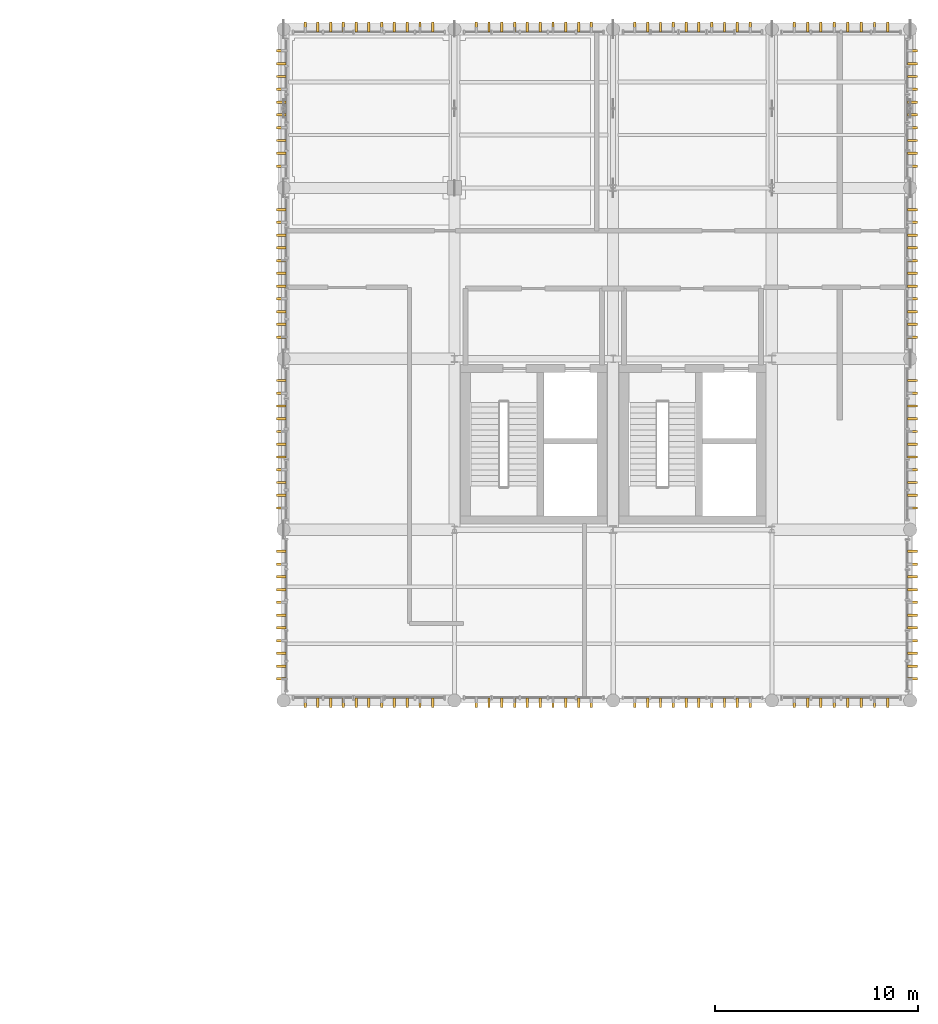
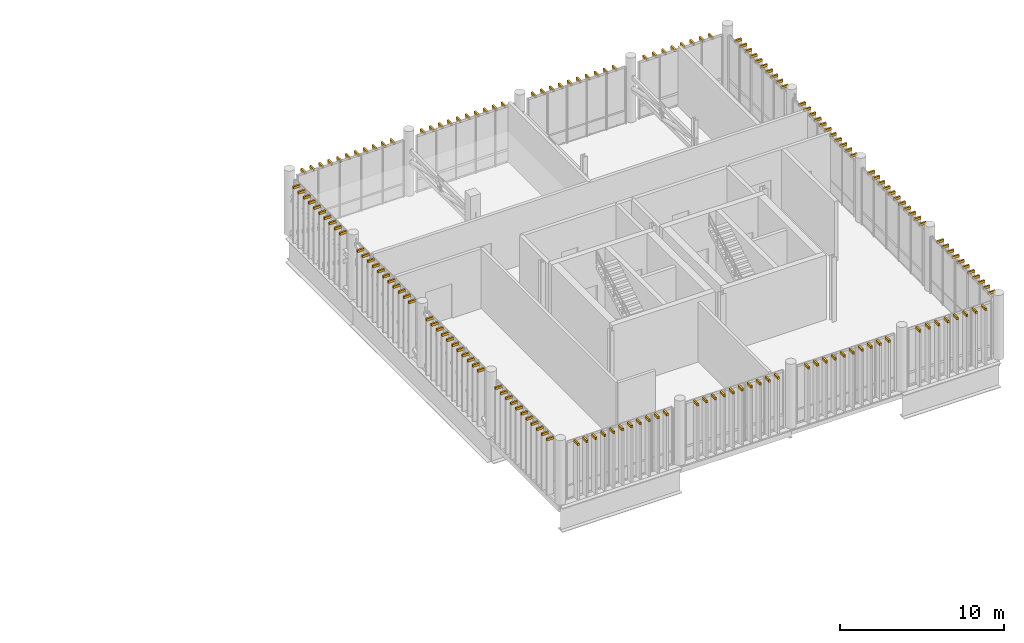
# One storey, part 81 of 81: 164 shading devices.
"""IFC4 building model written with IfcOpenShell, lengths in metres."""

import ifcopenshell
import ifcopenshell.guid

model = None  # the IFC model being written
_history = None  # IfcOwnerHistory: only IFC2X3 demands one
_inside = {}  # id of a spatial element -> (the spatial element, [elements in it])
_under = {}  # id of a project, library or spatial element -> (it, [spatial elements below it])
_declared = {}  # id of a project -> (the project, [libraries it declares])
_typed = {}  # id of a type object -> (the type object, [elements of that type])
_made_of = {}  # id of a material, layer set ... -> (it, [elements and type objects made of it])


def new_model(schema):
    """Start an empty IFC model of exactly this schema.

    Asked for "IFC4X3", IfcOpenShell would pick the latest addendum, in which some entities
    have other attributes; the version numbers below select the first issue.
    IFC2X3 requires an IfcOwnerHistory on every rooted entity: one is made here for all.
    """
    global model, _history
    if schema == "IFC4X3":
        model = ifcopenshell.file(schema_version=(4, 3, 0, 0))
    else:
        model = ifcopenshell.file(schema=schema)
    _inside.clear()
    _under.clear()
    _declared.clear()
    _typed.clear()
    _made_of.clear()
    _history = None
    if model.schema == "IFC2X3":
        org = make("IfcOrganization", Name="unknown")
        user = make(
            "IfcPersonAndOrganization",
            ThePerson=make("IfcPerson", FamilyName="unknown"),
            TheOrganization=org,
        )
        app = make(
            "IfcApplication",
            ApplicationDeveloper=org,
            Version="unknown",
            ApplicationFullName="unknown",
            ApplicationIdentifier="unknown",
        )
        _history = make(
            "IfcOwnerHistory",
            OwningUser=user,
            OwningApplication=app,
            ChangeAction="ADDED",
            CreationDate=0,
        )
    return model


def make(cls, **values):
    """One entity of the class cls with the attributes given. An attribute that is None is left unset."""
    return model.create_entity(
        cls, **{name: value for name, value in values.items() if value is not None}
    )


def rooted(cls, **values):
    """An entity with a GlobalId (a new one), such as an element, a storey or a relation."""
    return make(cls, GlobalId=ifcopenshell.guid.new(), OwnerHistory=_history, **values)


def si_unit(unit_type, name, prefix=None):
    """IfcSIUnit, for example si_unit("LENGTHUNIT", "METRE", prefix="MILLI")."""
    return make("IfcSIUnit", UnitType=unit_type, Prefix=prefix, Name=name)


def assignment(units):
    """IfcUnitAssignment: the units of a project."""
    return None if units is None else make("IfcUnitAssignment", Units=units)


def point(xyz):
    """IfcCartesianPoint."""
    return None if xyz is None else make("IfcCartesianPoint", Coordinates=xyz)


def direction(xyz):
    """IfcDirection."""
    return None if xyz is None else make("IfcDirection", DirectionRatios=xyz)


def frame(location, z_axis=None, x_axis=None):
    """IfcAxis2Placement3D, a coordinate frame: its origin and axes. An axis left out is left unset."""
    return make(
        "IfcAxis2Placement3D",
        Location=point(location),
        Axis=direction(z_axis),
        RefDirection=direction(x_axis),
    )


def frame_2d(location, x_axis=None):
    """IfcAxis2Placement2D, a coordinate frame in the plane: its origin and x axis."""
    return make(
        "IfcAxis2Placement2D", Location=point(location), RefDirection=direction(x_axis)
    )


def origin_with_axes():
    """The frame at (0, 0, 0) with the z axis (0, 0, 1) and the x axis (1, 0, 0) written out."""
    return frame((0.0, 0.0, 0.0), z_axis=(0.0, 0.0, 1.0), x_axis=(1.0, 0.0, 0.0))


def origin_2d_with_axis():
    """The frame at (0, 0) in the plane with the x axis (1, 0) written out."""
    return frame_2d((0.0, 0.0), x_axis=(1.0, 0.0))


def place(relative_to, where):
    """IfcLocalPlacement: puts the frame where relative to a parent placement (None: the world)."""
    return make(
        "IfcLocalPlacement", PlacementRelTo=relative_to, RelativePlacement=where
    )


def context(
    kind, dimensions, precision=None, world=None, true_north=None, identifier=None
):
    """IfcGeometricRepresentationContext, for example the 3D "Model" context."""
    return make(
        "IfcGeometricRepresentationContext",
        ContextIdentifier=identifier,
        ContextType=kind,
        CoordinateSpaceDimension=dimensions,
        Precision=precision,
        WorldCoordinateSystem=world,
        TrueNorth=true_north,
    )


def subcontext(parent, identifier, kind, view, scale=None):
    """IfcGeometricRepresentationSubContext, for example "Body" below "Model"."""
    return make(
        "IfcGeometricRepresentationSubContext",
        ContextIdentifier=identifier,
        ContextType=kind,
        ParentContext=parent,
        TargetScale=scale,
        TargetView=view,
    )


def project(units=None, contexts=None):
    """IfcProject with its units and contexts."""
    return rooted(
        "IfcProject",
        Name="project",
        RepresentationContexts=contexts,
        UnitsInContext=assignment(units),
    )


def spatial(cls, under=None, at=None, **own):
    """A site, building, storey or space (cls), placed at a placement, below another one or the project."""
    s = rooted(cls, ObjectPlacement=at, **own)
    if under is not None:
        _under.setdefault(under.id(), (under, []))[1].append(s)
    return s


def profile(cls, at=None, kind="AREA", **sizes):
    """A parametric profile (cls). Its sizes go by their IFC names, for example OverallWidth=200.0."""
    return make(cls, ProfileType=kind, Position=at, **sizes)


def rectangle(**sizes):
    """IfcRectangleProfileDef."""
    return profile("IfcRectangleProfileDef", **sizes)


def extrude(swept, where, along, depth):
    """IfcExtrudedAreaSolid: the profile swept, set in the frame where, extruded along a direction by depth."""
    return make(
        "IfcExtrudedAreaSolid",
        SweptArea=swept,
        Position=where,
        ExtrudedDirection=direction(along),
        Depth=depth,
    )


def shape(context_of_items, identifier, shape_type, items):
    """IfcShapeRepresentation: the items that make up one representation, for example the "Body"."""
    return make(
        "IfcShapeRepresentation",
        ContextOfItems=context_of_items,
        RepresentationIdentifier=identifier,
        RepresentationType=shape_type,
        Items=items,
    )


def material(Name=None, Category=None):
    """IfcMaterial."""
    return make("IfcMaterial", Name=Name, Category=Category)


def made_of(thing, what):
    """Note that an element or type object is made of a material, layer set ...; save() writes the relation."""
    if what is not None:
        _made_of.setdefault(what.id(), (what, []))[1].append(thing)
    return thing


def type_object(cls, material=None, **own):
    """A type object (cls), such as IfcWallType, which elements share."""
    return made_of(rooted(cls, **own), material)


def element(
    cls,
    number,
    at=None,
    inside=None,
    cuts=None,
    type_object=None,
    material=None,
    context=None,
    identifier="Body",
    shape_type=None,
    held_by="IfcProductDefinitionShape",
    body=None,
    shapes=None,
    **own,
):
    """One element of the class cls, such as IfcWall. Its Tag is "e" and its number.

    at: its placement. inside: the storey or other place that contains it. cuts: it is an
    opening in that element (IfcRelVoidsElement). A single representation is given by context,
    identifier, shape_type and body (its items); several are given by shapes. held_by: the class
    of the entity that holds the representations. save() writes the other relations.
    """
    e = rooted(cls, Tag="e%d" % number, ObjectPlacement=at, **own)
    if body is not None:
        shapes = [shape(context, identifier, shape_type, body)]
    if shapes is not None:
        e.Representation = make(held_by, Representations=shapes)
    if inside is not None:
        _inside.setdefault(inside.id(), (inside, []))[1].append(e)
    if cuts is not None:
        rooted(
            "IfcRelVoidsElement", RelatingBuildingElement=cuts, RelatedOpeningElement=e
        )
    if type_object is not None:
        _typed.setdefault(type_object.id(), (type_object, []))[1].append(e)
    return made_of(e, material)


def aggregate(whole, parts):
    """IfcRelAggregates: a whole, such as a stair, and the parts it consists of."""
    return rooted("IfcRelAggregates", RelatingObject=whole, RelatedObjects=parts)


def save(model, path):
    """Write the relations noted so far, then the file.

    IfcRelAggregates (storeys below a building ...), IfcRelContainedInSpatialStructure (elements
    in a storey), IfcRelDefinesByType, IfcRelAssociatesMaterial and IfcRelDeclares: one each for
    every whole, place, type object, material and project.
    """
    for whole, parts in _under.values():
        aggregate(whole, parts)
    for where, things in _inside.values():
        rooted(
            "IfcRelContainedInSpatialStructure",
            RelatedElements=things,
            RelatingStructure=where,
        )
    for kind, things in _typed.values():
        rooted("IfcRelDefinesByType", RelatedObjects=things, RelatingType=kind)
    for what, things in _made_of.values():
        rooted("IfcRelAssociatesMaterial", RelatedObjects=things, RelatingMaterial=what)
    for by, libraries in _declared.values():
        rooted("IfcRelDeclares", RelatingContext=by, RelatedDefinitions=libraries)
    model.write(path)


model = new_model("IFC4")

# Units and contexts
model_context = context("Model", 3, precision=1e-05, world=origin_with_axes(), true_north=direction((0.0, 1.0)))
body_context = subcontext(model_context, "Body", "Model", "MODEL_VIEW")
ifc_project = project(units=[si_unit("LENGTHUNIT", "METRE"), si_unit("AREAUNIT", "SQUARE_METRE"), si_unit("VOLUMEUNIT", "CUBIC_METRE"), si_unit("PLANEANGLEUNIT", "RADIAN"), si_unit("MASSUNIT", "GRAM", prefix="KILO"), si_unit("THERMODYNAMICTEMPERATUREUNIT", "KELVIN")], contexts=[model_context])

# Site, building, storey
site_placement = place(None, origin_with_axes())
site = spatial("IfcSite", under=ifc_project, at=site_placement, CompositionType="ELEMENT")
building_placement = place(site_placement, origin_with_axes())
building = spatial("IfcBuilding", under=site, at=building_placement, Name="Montbau Bow Law Courts", CompositionType="ELEMENT")
storey_placement = place(building_placement, frame((0.0, 0.0, 24.9), z_axis=(0.0, 0.0, 1.0), x_axis=(1.0, 0.0, 0.0)))
storey = spatial("IfcBuildingStorey", under=building, at=storey_placement, Name="L05", CompositionType="ELEMENT", Elevation=24.9)

# Shading devices
ifc_material = material(Name="Freeze-Thaw Glazed Slate-Grey Ceramic Vertical Louvre", Category="masonry")
shading_device_type = type_object("IfcShadingDeviceType", Name="SH-LVR-SLT", PredefinedType="USERDEFINED", material=ifc_material)
for number, where, z_axis, x_axis, name in (
    (1, (139.667, 77.89, 28.94), (0.0, 0.0, 1.0), (0.0, -1.0, 0.0), "LVR-L05-2902:shd_2902"),
    (2, (140.293, 77.89, 28.94), (0.0, 0.0, 1.0), (0.0, -1.0, 0.0), "LVR-L05-2903:shd_2903"),
    (3, (140.92, 77.89, 28.94), (0.0, 0.0, 1.0), (0.0, -1.0, 0.0), "LVR-L05-2904:shd_2904"),
    (4, (141.547, 77.89, 28.94), (0.0, 0.0, 1.0), (0.0, -1.0, 0.0), "LVR-L05-2905:shd_2905"),
    (5, (142.173, 77.89, 28.94), (0.0, 0.0, 1.0), (0.0, -1.0, 0.0), "LVR-L05-2906:shd_2906"),
    (6, (142.8, 77.89, 28.94), (0.0, 0.0, 1.0), (0.0, -1.0, 0.0), "LVR-L05-2907:shd_2907"),
    (7, (143.427, 77.89, 28.94), (0.0, 0.0, 1.0), (0.0, -1.0, 0.0), "LVR-L05-2908:shd_2908"),
    (8, (144.053, 77.89, 28.94), (0.0, 0.0, 1.0), (0.0, -1.0, 0.0), "LVR-L05-2909:shd_2909"),
    (9, (144.68, 77.89, 28.94), (0.0, 0.0, 1.0), (0.0, -1.0, 0.0), "LVR-L05-2910:shd_2910"),
    (10, (145.307, 77.89, 28.94), (0.0, 0.0, 1.0), (0.0, -1.0, 0.0), "LVR-L05-2911:shd_2911"),
    (11, (145.933, 77.89, 28.94), (0.0, 0.0, 1.0), (0.0, -1.0, 0.0), "LVR-L05-2912:shd_2912"),
    (12, (148.069, 77.89, 28.94), (0.0, 0.0, 1.0), (0.0, -1.0, 0.0), "LVR-L05-2913:shd_2913"),
    (13, (148.698, 77.89, 28.94), (0.0, 0.0, 1.0), (0.0, -1.0, 0.0), "LVR-L05-2914:shd_2914"),
    (14, (149.327, 77.89, 28.94), (0.0, 0.0, 1.0), (0.0, -1.0, 0.0), "LVR-L05-2915:shd_2915"),
    (15, (149.956, 77.89, 28.94), (0.0, 0.0, 1.0), (0.0, -1.0, 0.0), "LVR-L05-2916:shd_2916"),
    (16, (150.585, 77.89, 28.94), (0.0, 0.0, 1.0), (0.0, -1.0, 0.0), "LVR-L05-2917:shd_2917"),
    (17, (151.215, 77.89, 28.94), (0.0, 0.0, 1.0), (0.0, -1.0, 0.0), "LVR-L05-2918:shd_2918"),
    (18, (151.844, 77.89, 28.94), (0.0, 0.0, 1.0), (0.0, -1.0, 0.0), "LVR-L05-2919:shd_2919"),
    (19, (152.473, 77.89, 28.94), (0.0, 0.0, 1.0), (0.0, -1.0, 0.0), "LVR-L05-2920:shd_2920"),
    (20, (153.102, 77.89, 28.94), (0.0, 0.0, 1.0), (0.0, -1.0, 0.0), "LVR-L05-2921:shd_2921"),
    (21, (153.731, 77.89, 28.94), (0.0, 0.0, 1.0), (0.0, -1.0, 0.0), "LVR-L05-2922:shd_2922"),
    (22, (155.869, 77.89, 28.94), (0.0, 0.0, 1.0), (0.0, -1.0, 0.0), "LVR-L05-2923:shd_2923"),
    (23, (156.498, 77.89, 28.94), (0.0, 0.0, 1.0), (0.0, -1.0, 0.0), "LVR-L05-2924:shd_2924"),
    (24, (157.127, 77.89, 28.94), (0.0, 0.0, 1.0), (0.0, -1.0, 0.0), "LVR-L05-2925:shd_2925"),
    (25, (157.756, 77.89, 28.94), (0.0, 0.0, 1.0), (0.0, -1.0, 0.0), "LVR-L05-2926:shd_2926"),
    (26, (158.385, 77.89, 28.94), (0.0, 0.0, 1.0), (0.0, -1.0, 0.0), "LVR-L05-2927:shd_2927"),
    (27, (159.015, 77.89, 28.94), (0.0, 0.0, 1.0), (0.0, -1.0, 0.0), "LVR-L05-2928:shd_2928"),
    (28, (159.644, 77.89, 28.94), (0.0, 0.0, 1.0), (0.0, -1.0, 0.0), "LVR-L05-2929:shd_2929"),
    (29, (160.273, 77.89, 28.94), (0.0, 0.0, 1.0), (0.0, -1.0, 0.0), "LVR-L05-2930:shd_2930"),
    (30, (160.902, 77.89, 28.94), (0.0, 0.0, 1.0), (0.0, -1.0, 0.0), "LVR-L05-2931:shd_2931"),
    (31, (161.531, 77.89, 28.94), (0.0, 0.0, 1.0), (0.0, -1.0, 0.0), "LVR-L05-2932:shd_2932"),
    (32, (163.698, 77.89, 28.94), (0.0, 0.0, 1.0), (0.0, -1.0, 0.0), "LVR-L05-2933:shd_2933"),
    (33, (164.356, 77.89, 28.94), (0.0, 0.0, 1.0), (0.0, -1.0, 0.0), "LVR-L05-2934:shd_2934"),
    (34, (165.013, 77.89, 28.94), (0.0, 0.0, 1.0), (0.0, -1.0, 0.0), "LVR-L05-2935:shd_2935"),
    (35, (165.671, 77.89, 28.94), (0.0, 0.0, 1.0), (0.0, -1.0, 0.0), "LVR-L05-2936:shd_2936"),
    (36, (166.329, 77.89, 28.94), (0.0, 0.0, 1.0), (0.0, -1.0, 0.0), "LVR-L05-2937:shd_2937"),
    (37, (166.987, 77.89, 28.94), (0.0, 0.0, 1.0), (0.0, -1.0, 0.0), "LVR-L05-2938:shd_2938"),
    (38, (167.644, 77.89, 28.94), (0.0, 0.0, 1.0), (0.0, -1.0, 0.0), "LVR-L05-2939:shd_2939"),
    (39, (168.302, 77.89, 28.94), (0.0, 0.0, 1.0), (0.0, -1.0, 0.0), "LVR-L05-2940:shd_2940"),
    (40, (139.667, 111.11, 28.94), (0.0, 0.0, 1.0), (0.0, 1.0, 0.0), "LVR-L05-2941:shd_2941"),
    (41, (140.293, 111.11, 28.94), (0.0, 0.0, 1.0), (0.0, 1.0, 0.0), "LVR-L05-2942:shd_2942"),
    (42, (140.92, 111.11, 28.94), (0.0, 0.0, 1.0), (0.0, 1.0, 0.0), "LVR-L05-2943:shd_2943"),
    (43, (141.547, 111.11, 28.94), (0.0, 0.0, 1.0), (0.0, 1.0, 0.0), "LVR-L05-2944:shd_2944"),
    (44, (142.173, 111.11, 28.94), (0.0, 0.0, 1.0), (0.0, 1.0, 0.0), "LVR-L05-2945:shd_2945"),
    (45, (142.8, 111.11, 28.94), (0.0, 0.0, 1.0), (0.0, 1.0, 0.0), "LVR-L05-2946:shd_2946"),
    (46, (143.427, 111.11, 28.94), (0.0, 0.0, 1.0), (0.0, 1.0, 0.0), "LVR-L05-2947:shd_2947"),
    (47, (144.053, 111.11, 28.94), (0.0, 0.0, 1.0), (0.0, 1.0, 0.0), "LVR-L05-2948:shd_2948"),
    (48, (144.68, 111.11, 28.94), (0.0, 0.0, 1.0), (0.0, 1.0, 0.0), "LVR-L05-2949:shd_2949"),
    (49, (145.307, 111.11, 28.94), (0.0, 0.0, 1.0), (0.0, 1.0, 0.0), "LVR-L05-2950:shd_2950"),
    (50, (145.933, 111.11, 28.94), (0.0, 0.0, 1.0), (0.0, 1.0, 0.0), "LVR-L05-2951:shd_2951"),
    (51, (148.069, 111.11, 28.94), (0.0, 0.0, 1.0), (0.0, 1.0, 0.0), "LVR-L05-2952:shd_2952"),
    (52, (148.698, 111.11, 28.94), (0.0, 0.0, 1.0), (0.0, 1.0, 0.0), "LVR-L05-2953:shd_2953"),
    (53, (149.327, 111.11, 28.94), (0.0, 0.0, 1.0), (0.0, 1.0, 0.0), "LVR-L05-2954:shd_2954"),
    (54, (149.956, 111.11, 28.94), (0.0, 0.0, 1.0), (0.0, 1.0, 0.0), "LVR-L05-2955:shd_2955"),
    (55, (150.585, 111.11, 28.94), (0.0, 0.0, 1.0), (0.0, 1.0, 0.0), "LVR-L05-2956:shd_2956"),
    (56, (151.215, 111.11, 28.94), (0.0, 0.0, 1.0), (0.0, 1.0, 0.0), "LVR-L05-2957:shd_2957"),
    (57, (151.844, 111.11, 28.94), (0.0, 0.0, 1.0), (0.0, 1.0, 0.0), "LVR-L05-2958:shd_2958"),
    (58, (152.473, 111.11, 28.94), (0.0, 0.0, 1.0), (0.0, 1.0, 0.0), "LVR-L05-2959:shd_2959"),
    (59, (153.102, 111.11, 28.94), (0.0, 0.0, 1.0), (0.0, 1.0, 0.0), "LVR-L05-2960:shd_2960"),
    (60, (153.731, 111.11, 28.94), (0.0, 0.0, 1.0), (0.0, 1.0, 0.0), "LVR-L05-2961:shd_2961"),
    (61, (155.869, 111.11, 28.94), (0.0, 0.0, 1.0), (0.0, 1.0, 0.0), "LVR-L05-2962:shd_2962"),
    (62, (156.498, 111.11, 28.94), (0.0, 0.0, 1.0), (0.0, 1.0, 0.0), "LVR-L05-2963:shd_2963"),
    (63, (157.127, 111.11, 28.94), (0.0, 0.0, 1.0), (0.0, 1.0, 0.0), "LVR-L05-2964:shd_2964"),
    (64, (157.756, 111.11, 28.94), (0.0, 0.0, 1.0), (0.0, 1.0, 0.0), "LVR-L05-2965:shd_2965"),
    (65, (158.385, 111.11, 28.94), (0.0, 0.0, 1.0), (0.0, 1.0, 0.0), "LVR-L05-2966:shd_2966"),
    (66, (159.015, 111.11, 28.94), (0.0, 0.0, 1.0), (0.0, 1.0, 0.0), "LVR-L05-2967:shd_2967"),
    (67, (159.644, 111.11, 28.94), (0.0, 0.0, 1.0), (0.0, 1.0, 0.0), "LVR-L05-2968:shd_2968"),
    (68, (160.273, 111.11, 28.94), (0.0, 0.0, 1.0), (0.0, 1.0, 0.0), "LVR-L05-2969:shd_2969"),
    (69, (160.902, 111.11, 28.94), (0.0, 0.0, 1.0), (0.0, 1.0, 0.0), "LVR-L05-2970:shd_2970"),
    (70, (161.531, 111.11, 28.94), (0.0, 0.0, 1.0), (0.0, 1.0, 0.0), "LVR-L05-2971:shd_2971"),
    (71, (163.698, 111.11, 28.94), (0.0, 0.0, 1.0), (0.0, 1.0, 0.0), "LVR-L05-2972:shd_2972"),
    (72, (164.356, 111.11, 28.94), (0.0, 0.0, 1.0), (0.0, 1.0, 0.0), "LVR-L05-2973:shd_2973"),
    (73, (165.013, 111.11, 28.94), (0.0, 0.0, 1.0), (0.0, 1.0, 0.0), "LVR-L05-2974:shd_2974"),
    (74, (165.671, 111.11, 28.94), (0.0, 0.0, 1.0), (0.0, 1.0, 0.0), "LVR-L05-2975:shd_2975"),
    (75, (166.329, 111.11, 28.94), (0.0, 0.0, 1.0), (0.0, 1.0, 0.0), "LVR-L05-2976:shd_2976"),
    (76, (166.987, 111.11, 28.94), (0.0, 0.0, 1.0), (0.0, 1.0, 0.0), "LVR-L05-2977:shd_2977"),
    (77, (167.644, 111.11, 28.94), (0.0, 0.0, 1.0), (0.0, 1.0, 0.0), "LVR-L05-2978:shd_2978"),
    (78, (168.302, 111.11, 28.94), (0.0, 0.0, 1.0), (0.0, 1.0, 0.0), "LVR-L05-2979:shd_2979"),
    (79, (138.49, 79.067, 28.94), (0.0, 0.0, 1.0), (-1.0, 0.0, 0.0), "LVR-L05-2980:shd_2980"),
    (80, (138.49, 79.693, 28.94), (0.0, 0.0, 1.0), (-1.0, 0.0, 0.0), "LVR-L05-2981:shd_2981"),
    (81, (138.49, 80.32, 28.94), (0.0, 0.0, 1.0), (-1.0, 0.0, 0.0), "LVR-L05-2982:shd_2982"),
    (82, (138.49, 80.947, 28.94), (0.0, 0.0, 1.0), (-1.0, 0.0, 0.0), "LVR-L05-2983:shd_2983"),
    (83, (138.49, 81.573, 28.94), (0.0, 0.0, 1.0), (-1.0, 0.0, 0.0), "LVR-L05-2984:shd_2984"),
    (84, (138.49, 82.2, 28.94), (0.0, 0.0, 1.0), (-1.0, 0.0, 0.0), "LVR-L05-2985:shd_2985"),
    (85, (138.49, 82.827, 28.94), (0.0, 0.0, 1.0), (-1.0, 0.0, 0.0), "LVR-L05-2986:shd_2986"),
    (86, (138.49, 83.453, 28.94), (0.0, 0.0, 1.0), (-1.0, 0.0, 0.0), "LVR-L05-2987:shd_2987"),
    (87, (138.49, 84.08, 28.94), (0.0, 0.0, 1.0), (-1.0, 0.0, 0.0), "LVR-L05-2988:shd_2988"),
    (88, (138.49, 84.707, 28.94), (0.0, 0.0, 1.0), (-1.0, 0.0, 0.0), "LVR-L05-2989:shd_2989"),
    (89, (138.49, 85.333, 28.94), (0.0, 0.0, 1.0), (-1.0, 0.0, 0.0), "LVR-L05-2990:shd_2990"),
    (90, (138.49, 87.467, 28.94), (0.0, 0.0, 1.0), (-1.0, 0.0, 0.0), "LVR-L05-2991:shd_2991"),
    (91, (138.49, 88.093, 28.94), (0.0, 0.0, 1.0), (-1.0, 0.0, 0.0), "LVR-L05-2992:shd_2992"),
    (92, (138.49, 88.72, 28.94), (0.0, 0.0, 1.0), (-1.0, 0.0, 0.0), "LVR-L05-2993:shd_2993"),
    (93, (138.49, 89.347, 28.94), (0.0, 0.0, 1.0), (-1.0, 0.0, 0.0), "LVR-L05-2994:shd_2994"),
    (94, (138.49, 89.973, 28.94), (0.0, 0.0, 1.0), (-1.0, 0.0, 0.0), "LVR-L05-2995:shd_2995"),
    (95, (138.49, 90.6, 28.94), (0.0, 0.0, 1.0), (-1.0, 0.0, 0.0), "LVR-L05-2996:shd_2996"),
    (96, (138.49, 91.227, 28.94), (0.0, 0.0, 1.0), (-1.0, 0.0, 0.0), "LVR-L05-2997:shd_2997"),
    (97, (138.49, 91.853, 28.94), (0.0, 0.0, 1.0), (-1.0, 0.0, 0.0), "LVR-L05-2998:shd_2998"),
    (98, (138.49, 92.48, 28.94), (0.0, 0.0, 1.0), (-1.0, 0.0, 0.0), "LVR-L05-2999:shd_2999"),
    (99, (138.49, 93.107, 28.94), (0.0, 0.0, 1.0), (-1.0, 0.0, 0.0), "LVR-L05-3000:shd_3000"),
    (100, (138.49, 93.733, 28.94), (0.0, 0.0, 1.0), (-1.0, 0.0, 0.0), "LVR-L05-3001:shd_3001"),
    (101, (138.49, 95.867, 28.94), (0.0, 0.0, 1.0), (-1.0, 0.0, 0.0), "LVR-L05-3002:shd_3002"),
    (102, (138.49, 96.493, 28.94), (0.0, 0.0, 1.0), (-1.0, 0.0, 0.0), "LVR-L05-3003:shd_3003"),
    (103, (138.49, 97.12, 28.94), (0.0, 0.0, 1.0), (-1.0, 0.0, 0.0), "LVR-L05-3004:shd_3004"),
    (104, (138.49, 97.747, 28.94), (0.0, 0.0, 1.0), (-1.0, 0.0, 0.0), "LVR-L05-3005:shd_3005"),
    (105, (138.49, 98.373, 28.94), (0.0, 0.0, 1.0), (-1.0, 0.0, 0.0), "LVR-L05-3006:shd_3006"),
    (106, (138.49, 99.0, 28.94), (0.0, 0.0, 1.0), (-1.0, 0.0, 0.0), "LVR-L05-3007:shd_3007"),
    (107, (138.49, 99.627, 28.94), (0.0, 0.0, 1.0), (-1.0, 0.0, 0.0), "LVR-L05-3008:shd_3008"),
    (108, (138.49, 100.253, 28.94), (0.0, 0.0, 1.0), (-1.0, 0.0, 0.0), "LVR-L05-3009:shd_3009"),
    (109, (138.49, 100.88, 28.94), (0.0, 0.0, 1.0), (-1.0, 0.0, 0.0), "LVR-L05-3010:shd_3010"),
    (110, (138.49, 101.507, 28.94), (0.0, 0.0, 1.0), (-1.0, 0.0, 0.0), "LVR-L05-3011:shd_3011"),
    (111, (138.49, 102.133, 28.94), (0.0, 0.0, 1.0), (-1.0, 0.0, 0.0), "LVR-L05-3012:shd_3012"),
    (112, (138.49, 104.269, 28.94), (0.0, 0.0, 1.0), (-1.0, 0.0, 0.0), "LVR-L05-3013:shd_3013"),
    (113, (138.49, 104.898, 28.94), (0.0, 0.0, 1.0), (-1.0, 0.0, 0.0), "LVR-L05-3014:shd_3014"),
    (114, (138.49, 105.527, 28.94), (0.0, 0.0, 1.0), (-1.0, 0.0, 0.0), "LVR-L05-3015:shd_3015"),
    (115, (138.49, 106.156, 28.94), (0.0, 0.0, 1.0), (-1.0, 0.0, 0.0), "LVR-L05-3016:shd_3016"),
    (116, (138.49, 106.785, 28.94), (0.0, 0.0, 1.0), (-1.0, 0.0, 0.0), "LVR-L05-3017:shd_3017"),
    (117, (138.49, 107.415, 28.94), (0.0, 0.0, 1.0), (-1.0, 0.0, 0.0), "LVR-L05-3018:shd_3018"),
    (118, (138.49, 108.044, 28.94), (0.0, 0.0, 1.0), (-1.0, 0.0, 0.0), "LVR-L05-3019:shd_3019"),
    (119, (138.49, 108.673, 28.94), (0.0, 0.0, 1.0), (-1.0, 0.0, 0.0), "LVR-L05-3020:shd_3020"),
    (120, (138.49, 109.302, 28.94), (0.0, 0.0, 1.0), (-1.0, 0.0, 0.0), "LVR-L05-3021:shd_3021"),
    (121, (138.49, 109.931, 28.94), (0.0, 0.0, 1.0), (-1.0, 0.0, 0.0), "LVR-L05-3022:shd_3022"),
    (122, (169.51, 79.067, 28.94), (0.0, 0.0, 1.0), (1.0, 0.0, 0.0), "LVR-L05-3023:shd_3023"),
    (123, (169.51, 79.693, 28.94), (0.0, 0.0, 1.0), (1.0, 0.0, 0.0), "LVR-L05-3024:shd_3024"),
    (124, (169.51, 80.32, 28.94), (0.0, 0.0, 1.0), (1.0, 0.0, 0.0), "LVR-L05-3025:shd_3025"),
    (125, (169.51, 80.947, 28.94), (0.0, 0.0, 1.0), (1.0, 0.0, 0.0), "LVR-L05-3026:shd_3026"),
    (126, (169.51, 81.573, 28.94), (0.0, 0.0, 1.0), (1.0, 0.0, 0.0), "LVR-L05-3027:shd_3027"),
    (127, (169.51, 82.2, 28.94), (0.0, 0.0, 1.0), (1.0, 0.0, 0.0), "LVR-L05-3028:shd_3028"),
    (128, (169.51, 82.827, 28.94), (0.0, 0.0, 1.0), (1.0, 0.0, 0.0), "LVR-L05-3029:shd_3029"),
    (129, (169.51, 83.453, 28.94), (0.0, 0.0, 1.0), (1.0, 0.0, 0.0), "LVR-L05-3030:shd_3030"),
    (130, (169.51, 84.08, 28.94), (0.0, 0.0, 1.0), (1.0, 0.0, 0.0), "LVR-L05-3031:shd_3031"),
    (131, (169.51, 84.707, 28.94), (0.0, 0.0, 1.0), (1.0, 0.0, 0.0), "LVR-L05-3032:shd_3032"),
    (132, (169.51, 85.333, 28.94), (0.0, 0.0, 1.0), (1.0, 0.0, 0.0), "LVR-L05-3033:shd_3033"),
    (133, (169.51, 87.467, 28.94), (0.0, 0.0, 1.0), (1.0, 0.0, 0.0), "LVR-L05-3034:shd_3034"),
    (134, (169.51, 88.093, 28.94), (0.0, 0.0, 1.0), (1.0, 0.0, 0.0), "LVR-L05-3035:shd_3035"),
    (135, (169.51, 88.72, 28.94), (0.0, 0.0, 1.0), (1.0, 0.0, 0.0), "LVR-L05-3036:shd_3036"),
    (136, (169.51, 89.347, 28.94), (0.0, 0.0, 1.0), (1.0, 0.0, 0.0), "LVR-L05-3037:shd_3037"),
    (137, (169.51, 89.973, 28.94), (0.0, 0.0, 1.0), (1.0, 0.0, 0.0), "LVR-L05-3038:shd_3038"),
    (138, (169.51, 90.6, 28.94), (0.0, 0.0, 1.0), (1.0, 0.0, 0.0), "LVR-L05-3039:shd_3039"),
    (139, (169.51, 91.227, 28.94), (0.0, 0.0, 1.0), (1.0, 0.0, 0.0), "LVR-L05-3040:shd_3040"),
    (140, (169.51, 91.853, 28.94), (0.0, 0.0, 1.0), (1.0, 0.0, 0.0), "LVR-L05-3041:shd_3041"),
    (141, (169.51, 92.48, 28.94), (0.0, 0.0, 1.0), (1.0, 0.0, 0.0), "LVR-L05-3042:shd_3042"),
    (142, (169.51, 93.107, 28.94), (0.0, 0.0, 1.0), (1.0, 0.0, 0.0), "LVR-L05-3043:shd_3043"),
    (143, (169.51, 93.733, 28.94), (0.0, 0.0, 1.0), (1.0, 0.0, 0.0), "LVR-L05-3044:shd_3044"),
    (144, (169.51, 95.867, 28.94), (0.0, 0.0, 1.0), (1.0, 0.0, 0.0), "LVR-L05-3045:shd_3045"),
    (145, (169.51, 96.493, 28.94), (0.0, 0.0, 1.0), (1.0, 0.0, 0.0), "LVR-L05-3046:shd_3046"),
    (146, (169.51, 97.12, 28.94), (0.0, 0.0, 1.0), (1.0, 0.0, 0.0), "LVR-L05-3047:shd_3047"),
    (147, (169.51, 97.747, 28.94), (0.0, 0.0, 1.0), (1.0, 0.0, 0.0), "LVR-L05-3048:shd_3048"),
    (148, (169.51, 98.373, 28.94), (0.0, 0.0, 1.0), (1.0, 0.0, 0.0), "LVR-L05-3049:shd_3049"),
    (149, (169.51, 99.0, 28.94), (0.0, 0.0, 1.0), (1.0, 0.0, 0.0), "LVR-L05-3050:shd_3050"),
    (150, (169.51, 99.627, 28.94), (0.0, 0.0, 1.0), (1.0, 0.0, 0.0), "LVR-L05-3051:shd_3051"),
    (151, (169.51, 100.253, 28.94), (0.0, 0.0, 1.0), (1.0, 0.0, 0.0), "LVR-L05-3052:shd_3052"),
    (152, (169.51, 100.88, 28.94), (0.0, 0.0, 1.0), (1.0, 0.0, 0.0), "LVR-L05-3053:shd_3053"),
    (153, (169.51, 101.507, 28.94), (0.0, 0.0, 1.0), (1.0, 0.0, 0.0), "LVR-L05-3054:shd_3054"),
    (154, (169.51, 102.133, 28.94), (0.0, 0.0, 1.0), (1.0, 0.0, 0.0), "LVR-L05-3055:shd_3055"),
    (155, (169.51, 104.269, 28.94), (0.0, 0.0, 1.0), (1.0, 0.0, 0.0), "LVR-L05-3056:shd_3056"),
    (156, (169.51, 104.898, 28.94), (0.0, 0.0, 1.0), (1.0, 0.0, 0.0), "LVR-L05-3057:shd_3057"),
    (157, (169.51, 105.527, 28.94), (0.0, 0.0, 1.0), (1.0, 0.0, 0.0), "LVR-L05-3058:shd_3058"),
    (158, (169.51, 106.156, 28.94), (0.0, 0.0, 1.0), (1.0, 0.0, 0.0), "LVR-L05-3059:shd_3059"),
    (159, (169.51, 106.785, 28.94), (0.0, 0.0, 1.0), (1.0, 0.0, 0.0), "LVR-L05-3060:shd_3060"),
    (160, (169.51, 107.415, 28.94), (0.0, 0.0, 1.0), (1.0, 0.0, 0.0), "LVR-L05-3061:shd_3061"),
    (161, (169.51, 108.044, 28.94), (0.0, 0.0, 1.0), (1.0, 0.0, 0.0), "LVR-L05-3062:shd_3062"),
    (162, (169.51, 108.673, 28.94), (0.0, 0.0, 1.0), (1.0, 0.0, 0.0), "LVR-L05-3063:shd_3063"),
    (163, (169.51, 109.302, 28.94), (0.0, 0.0, 1.0), (1.0, 0.0, 0.0), "LVR-L05-3064:shd_3064"),
    (164, (169.51, 109.931, 28.94), (0.0, 0.0, 1.0), (1.0, 0.0, 0.0), "LVR-L05-3065:shd_3065"),
):
    element("IfcShadingDevice", number, at=place(None, frame(where, z_axis=z_axis, x_axis=x_axis)), inside=storey, type_object=shading_device_type, Name=name, ObjectType="LOUVRE", PredefinedType="USERDEFINED", context=body_context, shape_type="SweptSolid", body=[
        extrude(rectangle(XDim=0.48, YDim=0.12, at=origin_2d_with_axis()), origin_with_axes(), (0.0, 0.0, 1.0), 0.18),
    ])

save(model, "model.ifc")
